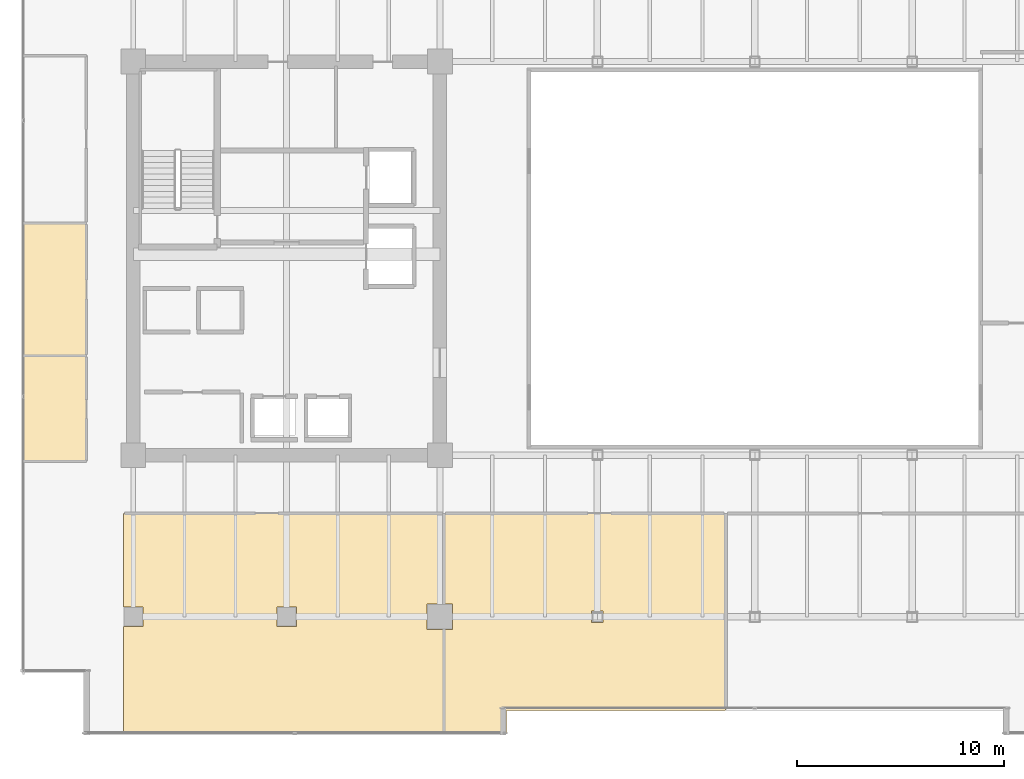
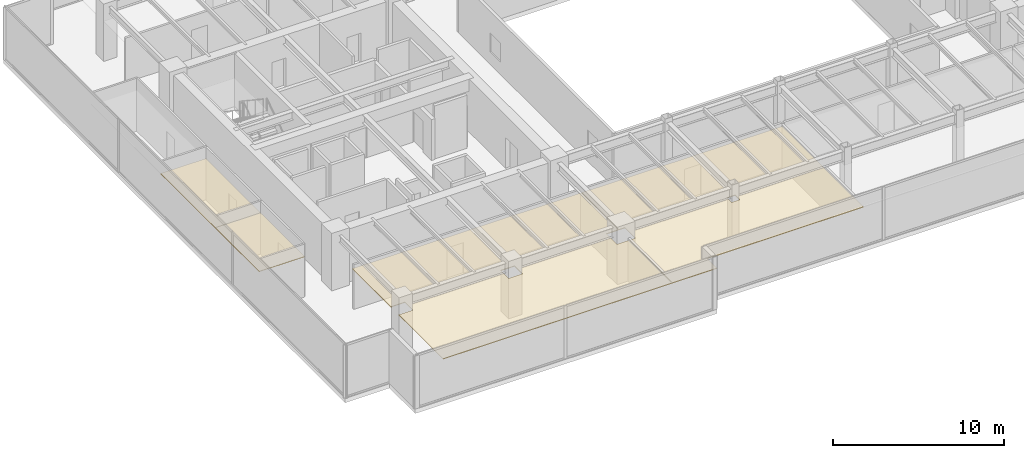
# One storey, part 30 of 34: 4 coverings.
"""IFC4 building model written with IfcOpenShell, lengths in metres."""

import ifcopenshell
import ifcopenshell.guid

model = None  # the IFC model being written
_history = None  # IfcOwnerHistory: only IFC2X3 demands one
_inside = {}  # id of a spatial element -> (the spatial element, [elements in it])
_under = {}  # id of a project, library or spatial element -> (it, [spatial elements below it])
_declared = {}  # id of a project -> (the project, [libraries it declares])
_typed = {}  # id of a type object -> (the type object, [elements of that type])
_made_of = {}  # id of a material, layer set ... -> (it, [elements and type objects made of it])


def new_model(schema):
    """Start an empty IFC model of exactly this schema.

    Asked for "IFC4X3", IfcOpenShell would pick the latest addendum, in which some entities
    have other attributes; the version numbers below select the first issue.
    IFC2X3 requires an IfcOwnerHistory on every rooted entity: one is made here for all.
    """
    global model, _history
    if schema == "IFC4X3":
        model = ifcopenshell.file(schema_version=(4, 3, 0, 0))
    else:
        model = ifcopenshell.file(schema=schema)
    _inside.clear()
    _under.clear()
    _declared.clear()
    _typed.clear()
    _made_of.clear()
    _history = None
    if model.schema == "IFC2X3":
        org = make("IfcOrganization", Name="unknown")
        user = make(
            "IfcPersonAndOrganization",
            ThePerson=make("IfcPerson", FamilyName="unknown"),
            TheOrganization=org,
        )
        app = make(
            "IfcApplication",
            ApplicationDeveloper=org,
            Version="unknown",
            ApplicationFullName="unknown",
            ApplicationIdentifier="unknown",
        )
        _history = make(
            "IfcOwnerHistory",
            OwningUser=user,
            OwningApplication=app,
            ChangeAction="ADDED",
            CreationDate=0,
        )
    return model


def make(cls, **values):
    """One entity of the class cls with the attributes given. An attribute that is None is left unset."""
    return model.create_entity(
        cls, **{name: value for name, value in values.items() if value is not None}
    )


def rooted(cls, **values):
    """An entity with a GlobalId (a new one), such as an element, a storey or a relation."""
    return make(cls, GlobalId=ifcopenshell.guid.new(), OwnerHistory=_history, **values)


def si_unit(unit_type, name, prefix=None):
    """IfcSIUnit, for example si_unit("LENGTHUNIT", "METRE", prefix="MILLI")."""
    return make("IfcSIUnit", UnitType=unit_type, Prefix=prefix, Name=name)


def assignment(units):
    """IfcUnitAssignment: the units of a project."""
    return None if units is None else make("IfcUnitAssignment", Units=units)


def point(xyz):
    """IfcCartesianPoint."""
    return None if xyz is None else make("IfcCartesianPoint", Coordinates=xyz)


def direction(xyz):
    """IfcDirection."""
    return None if xyz is None else make("IfcDirection", DirectionRatios=xyz)


def frame(location, z_axis=None, x_axis=None):
    """IfcAxis2Placement3D, a coordinate frame: its origin and axes. An axis left out is left unset."""
    return make(
        "IfcAxis2Placement3D",
        Location=point(location),
        Axis=direction(z_axis),
        RefDirection=direction(x_axis),
    )


def origin():
    """The frame at (0, 0, 0) with its axes left unset."""
    return frame((0.0, 0.0, 0.0))


def place(relative_to, where):
    """IfcLocalPlacement: puts the frame where relative to a parent placement (None: the world)."""
    return make(
        "IfcLocalPlacement", PlacementRelTo=relative_to, RelativePlacement=where
    )


def context(
    kind, dimensions, precision=None, world=None, true_north=None, identifier=None
):
    """IfcGeometricRepresentationContext, for example the 3D "Model" context."""
    return make(
        "IfcGeometricRepresentationContext",
        ContextIdentifier=identifier,
        ContextType=kind,
        CoordinateSpaceDimension=dimensions,
        Precision=precision,
        WorldCoordinateSystem=world,
        TrueNorth=true_north,
    )


def subcontext(parent, identifier, kind, view, scale=None):
    """IfcGeometricRepresentationSubContext, for example "Body" below "Model"."""
    return make(
        "IfcGeometricRepresentationSubContext",
        ContextIdentifier=identifier,
        ContextType=kind,
        ParentContext=parent,
        TargetScale=scale,
        TargetView=view,
    )


def project(units=None, contexts=None):
    """IfcProject with its units and contexts."""
    return rooted(
        "IfcProject",
        Name="project",
        RepresentationContexts=contexts,
        UnitsInContext=assignment(units),
    )


def spatial(cls, under=None, at=None, **own):
    """A site, building, storey or space (cls), placed at a placement, below another one or the project."""
    s = rooted(cls, ObjectPlacement=at, **own)
    if under is not None:
        _under.setdefault(under.id(), (under, []))[1].append(s)
    return s


def polyline(points):
    """IfcPolyline through the points."""
    return make("IfcPolyline", Points=[point(p) for p in points])


def outline(outer, holes=None, kind="AREA"):
    """IfcArbitraryClosedProfileDef: a profile drawn as a closed curve; with holes, ...WithVoids."""
    if holes is None:
        return make("IfcArbitraryClosedProfileDef", ProfileType=kind, OuterCurve=outer)
    return make(
        "IfcArbitraryProfileDefWithVoids",
        ProfileType=kind,
        OuterCurve=outer,
        InnerCurves=holes,
    )


def extrude(swept, where, along, depth):
    """IfcExtrudedAreaSolid: the profile swept, set in the frame where, extruded along a direction by depth."""
    return make(
        "IfcExtrudedAreaSolid",
        SweptArea=swept,
        Position=where,
        ExtrudedDirection=direction(along),
        Depth=depth,
    )


def shape(context_of_items, identifier, shape_type, items):
    """IfcShapeRepresentation: the items that make up one representation, for example the "Body"."""
    return make(
        "IfcShapeRepresentation",
        ContextOfItems=context_of_items,
        RepresentationIdentifier=identifier,
        RepresentationType=shape_type,
        Items=items,
    )


def material(Name=None, Category=None):
    """IfcMaterial."""
    return make("IfcMaterial", Name=Name, Category=Category)


def layer(
    of_material, thickness, ventilated=None, Name=None, Category=None, Priority=None
):
    """IfcMaterialLayer: one layer of a wall or slab, of a material (None: an air gap)."""
    return make(
        "IfcMaterialLayer",
        Material=of_material,
        LayerThickness=thickness,
        IsVentilated=ventilated,
        Name=Name,
        Category=Category,
        Priority=Priority,
    )


def layer_set(layers, Name=None):
    """IfcMaterialLayerSet."""
    return make("IfcMaterialLayerSet", MaterialLayers=layers, LayerSetName=Name)


def made_of(thing, what):
    """Note that an element or type object is made of a material, layer set ...; save() writes the relation."""
    if what is not None:
        _made_of.setdefault(what.id(), (what, []))[1].append(thing)
    return thing


def type_object(cls, material=None, **own):
    """A type object (cls), such as IfcWallType, which elements share."""
    return made_of(rooted(cls, **own), material)


def element(
    cls,
    number,
    at=None,
    inside=None,
    cuts=None,
    type_object=None,
    material=None,
    context=None,
    identifier="Body",
    shape_type=None,
    held_by="IfcProductDefinitionShape",
    body=None,
    shapes=None,
    **own,
):
    """One element of the class cls, such as IfcWall. Its Tag is "e" and its number.

    at: its placement. inside: the storey or other place that contains it. cuts: it is an
    opening in that element (IfcRelVoidsElement). A single representation is given by context,
    identifier, shape_type and body (its items); several are given by shapes. held_by: the class
    of the entity that holds the representations. save() writes the other relations.
    """
    e = rooted(cls, Tag="e%d" % number, ObjectPlacement=at, **own)
    if body is not None:
        shapes = [shape(context, identifier, shape_type, body)]
    if shapes is not None:
        e.Representation = make(held_by, Representations=shapes)
    if inside is not None:
        _inside.setdefault(inside.id(), (inside, []))[1].append(e)
    if cuts is not None:
        rooted(
            "IfcRelVoidsElement", RelatingBuildingElement=cuts, RelatedOpeningElement=e
        )
    if type_object is not None:
        _typed.setdefault(type_object.id(), (type_object, []))[1].append(e)
    return made_of(e, material)


def aggregate(whole, parts):
    """IfcRelAggregates: a whole, such as a stair, and the parts it consists of."""
    return rooted("IfcRelAggregates", RelatingObject=whole, RelatedObjects=parts)


def save(model, path):
    """Write the relations noted so far, then the file.

    IfcRelAggregates (storeys below a building ...), IfcRelContainedInSpatialStructure (elements
    in a storey), IfcRelDefinesByType, IfcRelAssociatesMaterial and IfcRelDeclares: one each for
    every whole, place, type object, material and project.
    """
    for whole, parts in _under.values():
        aggregate(whole, parts)
    for where, things in _inside.values():
        rooted(
            "IfcRelContainedInSpatialStructure",
            RelatedElements=things,
            RelatingStructure=where,
        )
    for kind, things in _typed.values():
        rooted("IfcRelDefinesByType", RelatedObjects=things, RelatingType=kind)
    for what, things in _made_of.values():
        rooted("IfcRelAssociatesMaterial", RelatedObjects=things, RelatingMaterial=what)
    for by, libraries in _declared.values():
        rooted("IfcRelDeclares", RelatingContext=by, RelatedDefinitions=libraries)
    model.write(path)


model = new_model("IFC4")

# Units and contexts
model_context = context("Model", 3, precision=1e-05, world=origin(), true_north=direction((0.0, 1.0)))
body_context = subcontext(model_context, "Body", "Model", "MODEL_VIEW")
ifc_project = project(units=[si_unit("LENGTHUNIT", "METRE"), si_unit("AREAUNIT", "SQUARE_METRE"), si_unit("VOLUMEUNIT", "CUBIC_METRE"), si_unit("PLANEANGLEUNIT", "RADIAN"), si_unit("MASSUNIT", "GRAM", prefix="KILO")], contexts=[model_context])

# Site, building, storey
site_placement = place(None, origin())
site = spatial("IfcSite", under=ifc_project, at=site_placement, CompositionType="ELEMENT")
building_placement = place(site_placement, origin())
building = spatial("IfcBuilding", under=site, at=building_placement, Name="Haelvirn Gate Laboratories", CompositionType="ELEMENT")
storey_placement = place(building_placement, frame((0.0, 0.0, 178.89990234375)))
storey = spatial("IfcBuildingStorey", under=building, at=storey_placement, Name="L43", CompositionType="ELEMENT", Elevation=178.89990234375)

# Coverings
ifc_material = material(Name="Washable cleanroom gasketed aluminium ceiling", Category="aluminium")
ifc_layer = layer(ifc_material, 0.050048828125, Name="COV-CEIL-CLN")
ifc_layer_set = layer_set([ifc_layer], Name="Washable cleanroom gasketed aluminium ceiling")
covering_type = type_object("IfcCoveringType", Name="COV-CEIL-CLN", PredefinedType="CEILING", material=ifc_layer_set)
covering_1_placement = place(storey_placement, frame((0.0, 0.0, 2.860107421875)))
element("IfcCovering", 1, at=covering_1_placement, inside=storey, type_object=covering_type, Name="L43 Laboratory Acoustic Ceiling CEIL-SP-L43-S-01", PredefinedType="CEILING", context=body_context, shape_type="SweptSolid", body=[
    extrude(outline(polyline([(6.919921875, 1.35009765625), (6.919921875, 6.590087890625), (6.929931640625, 6.590087890625), (6.929931640625, 6.530029296875), (7.8701171875, 6.530029296875), (7.8701171875, 7.469970703125), (6.929931640625, 7.469970703125), (6.929931640625, 7.409912109375), (6.919921875, 7.409912109375), (6.919921875, 11.97998046875), (22.3798828125, 11.97998046875), (22.3798828125, 7.6201171875), (21.580078125, 7.6201171875), (21.580078125, 6.3798828125), (22.3798828125, 6.3798828125), (22.3798828125, 1.35009765625), (6.919921875, 1.35009765625)]), holes=[polyline([(14.330078125, 6.530029296875), (15.27001953125, 6.530029296875), (15.27001953125, 7.469970703125), (14.330078125, 7.469970703125), (14.330078125, 6.530029296875)])]), origin(), (0.0, 0.0, 1.0), 0.050048828125),
])
covering_2_placement = place(storey_placement, frame((0.0, 0.0, 2.860107421875)))
element("IfcCovering", 2, at=covering_2_placement, inside=storey, type_object=covering_type, Name="L43 Laboratory Acoustic Ceiling CEIL-SP-L43-S-02", PredefinedType="CEILING", context=body_context, shape_type="SweptSolid", body=[
    extrude(outline(polyline([(35.97998046875, 11.97998046875), (35.97998046875, 2.47998046875), (25.419921875, 2.47998046875), (25.419921875, 1.35009765625), (22.419921875, 1.35009765625), (22.419921875, 6.3798828125), (22.820068359375, 6.3798828125), (22.820068359375, 7.6201171875), (22.419921875, 7.6201171875), (22.419921875, 11.97998046875), (35.97998046875, 11.97998046875)]), holes=[polyline([(30.070068359375, 7.27001953125), (29.530029296875, 7.27001953125), (29.530029296875, 6.72998046875), (30.070068359375, 6.72998046875), (30.070068359375, 7.27001953125)])]), origin(), (0.0, 0.0, 1.0), 0.050048828125),
])
covering_3_placement = place(storey_placement, frame((0.0, 0.0, 2.860107421875)))
element("IfcCovering", 3, at=covering_3_placement, inside=storey, type_object=covering_type, Name="L43 Laboratory Acoustic Ceiling CEIL-SP-L43-WCELL-01", PredefinedType="CEILING", context=body_context, shape_type="SweptSolid", body=[
    extrude(outline(polyline([(2.050048828125, 19.60009765625), (5.1201171875, 19.60009765625), (5.1201171875, 14.455078125), (2.050048828125, 14.455078125), (2.050048828125, 19.60009765625)])), origin(), (0.0, 0.0, 1.0), 0.050048828125),
])
covering_4_placement = place(storey_placement, frame((0.0, 0.0, 2.860107421875)))
element("IfcCovering", 4, at=covering_4_placement, inside=storey, type_object=covering_type, Name="L43 Laboratory Acoustic Ceiling CEIL-SP-L43-WCELL-02", PredefinedType="CEILING", context=body_context, shape_type="SweptSolid", body=[
    extrude(outline(polyline([(2.050048828125, 26.0), (5.1201171875, 26.0), (5.1201171875, 19.60009765625), (2.050048828125, 19.60009765625), (2.050048828125, 26.0)])), origin(), (0.0, 0.0, 1.0), 0.050048828125),
])

save(model, "model.ifc")
